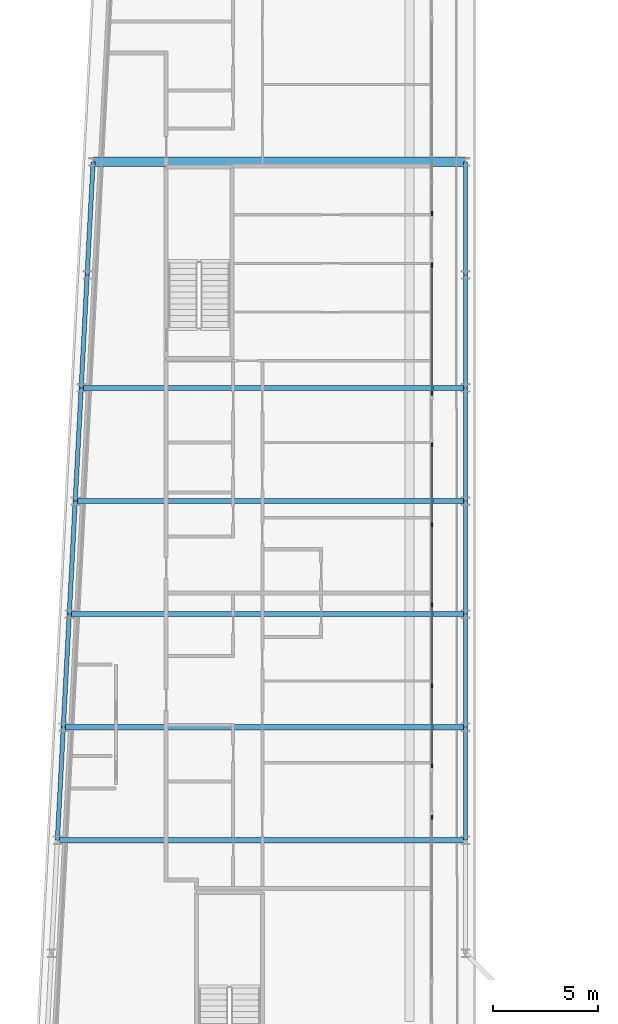
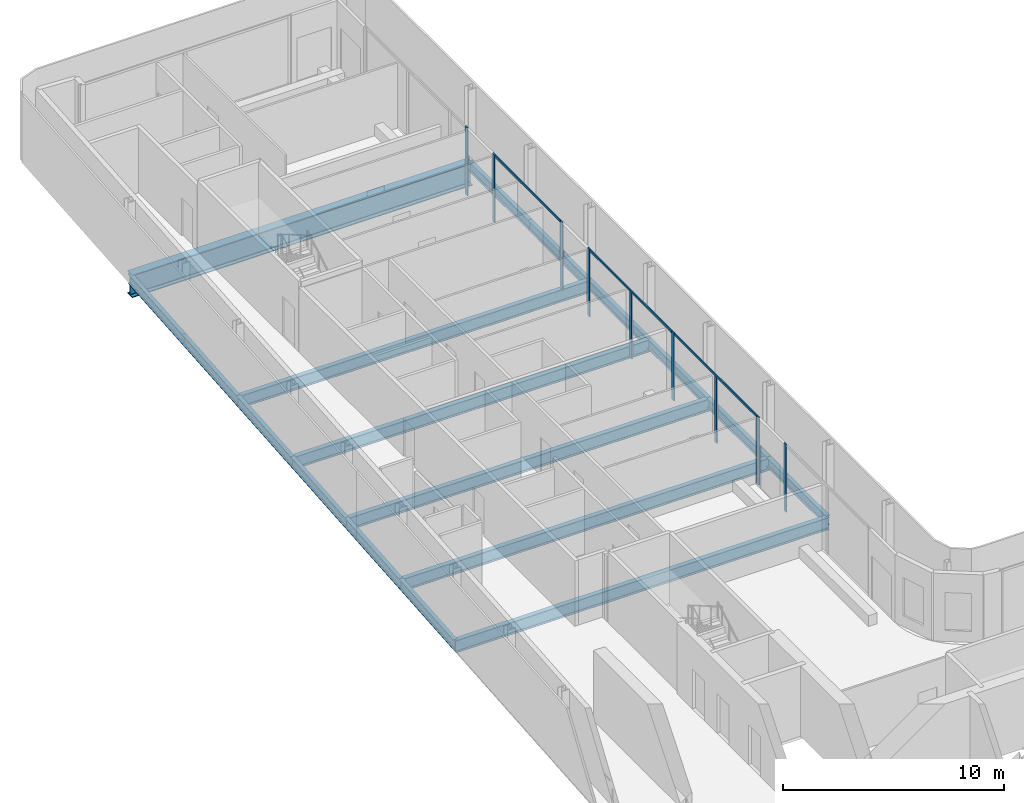
# One storey, part 7 of 21: 18 beams, 12 members, 5 elements without a shape of their own.
"""IFC4 building model written with IfcOpenShell, lengths in metres."""

from ifc_helpers import new_model, si_unit, direction, frame, origin, origin_2d, place, context, subcontext, project, spatial, rectangle, i_section, extrude, material, layer, layer_set, material_profile, profile_set, type_object, element, aggregate, save


model = new_model("IFC4")

# Units and contexts
model_context = context("Model", 3, precision=1e-05, world=origin(), true_north=direction((0.0, 1.0)))
body_context = subcontext(model_context, "Body", "Model", "MODEL_VIEW")
ifc_project = project(units=[si_unit("LENGTHUNIT", "METRE"), si_unit("AREAUNIT", "SQUARE_METRE"), si_unit("VOLUMEUNIT", "CUBIC_METRE"), si_unit("PLANEANGLEUNIT", "RADIAN"), si_unit("MASSUNIT", "GRAM", prefix="KILO")], contexts=[model_context])

# Site, building, storey
site_placement = place(None, origin())
site = spatial("IfcSite", under=ifc_project, at=site_placement, CompositionType="ELEMENT")
building_placement = place(site_placement, origin())
building = spatial("IfcBuilding", under=site, at=building_placement, Name="Kheshtan School and Residences Tower", CompositionType="ELEMENT")
storey_placement = place(building_placement, frame((0.0, 0.0, 282.5)))
storey = spatial("IfcBuildingStorey", under=building, at=storey_placement, Name="L66", CompositionType="ELEMENT", Elevation=282.5)

# Beams
ifc_material_1 = material(Name="Steel ASTM A992 Grade 50", Category="steel")
ifc_material_profile_1 = material_profile(ifc_material_1, i_section(OverallWidth=0.2529296875, OverallDepth=0.677978515625, WebThickness=0.01171875, FlangeThickness=0.016357421875, FilletRadius=0.0146484375, at=origin_2d()), Name="W690x125")
ifc_profile_set_1 = profile_set([ifc_material_profile_1], Name="Steel ASTM A992 Grade 50")
beam_type_1 = type_object("IfcBeamType", Name="Beam FB6 W690x125 ASTM A992 Grade 50", PredefinedType="BEAM", material=ifc_profile_set_1)
beam_1_placement = place(storey_placement, frame((47.60009765625, 78.0, -0.489013671875), z_axis=(-1.0, 0.0, 0.0), x_axis=(0.0, -1.0, 0.0)))
element("IfcBeam", 1, at=beam_1_placement, inside=storey, type_object=beam_type_1, Name="Floor beam C089", PredefinedType="BEAM", context=body_context, shape_type="SweptSolid", body=[
    extrude(i_section(OverallWidth=0.2529296875, OverallDepth=0.677978515625, WebThickness=0.01171875, FlangeThickness=0.016357421875, FilletRadius=0.0146484375, at=origin_2d()), origin(), (0.0, 0.0, 1.0), 18.357177734375),
])
beam_2_placement = place(storey_placement, frame((47.60009765625, 67.199951171875, -0.489013671875), z_axis=(-1.0, 0.0, 0.0), x_axis=(0.0, -1.0, 0.0)))
element("IfcBeam", 2, at=beam_2_placement, inside=storey, type_object=beam_type_1, Name="Floor beam C085", PredefinedType="BEAM", context=body_context, shape_type="SweptSolid", body=[
    extrude(i_section(OverallWidth=0.2529296875, OverallDepth=0.677978515625, WebThickness=0.01171875, FlangeThickness=0.016357421875, FilletRadius=0.0146484375, at=origin_2d()), origin(), (0.0, 0.0, 1.0), 18.926025390625),
])
beam_3_placement = place(storey_placement, frame((47.60009765625, 56.39990234375, -0.489013671875), z_axis=(-1.0, 0.0, 0.0), x_axis=(0.0, -1.0, 0.0)))
element("IfcBeam", 3, at=beam_3_placement, inside=storey, type_object=beam_type_1, Name="Floor beam C081", PredefinedType="BEAM", context=body_context, shape_type="SweptSolid", body=[
    extrude(i_section(OverallWidth=0.2529296875, OverallDepth=0.677978515625, WebThickness=0.01171875, FlangeThickness=0.016357421875, FilletRadius=0.0146484375, at=origin_2d()), origin(), (0.0, 0.0, 1.0), 19.494140625),
])
beam_4_placement = place(storey_placement, frame((28.389892578125, 61.800048828125, -0.489013671875), z_axis=(1.0, 0.0, 0.0), x_axis=(0.0, 1.0, 0.0)))
element("IfcBeam", 4, at=beam_4_placement, inside=storey, type_object=beam_type_1, Name="Floor beam C082", PredefinedType="BEAM", context=body_context, shape_type="SweptSolid", body=[
    extrude(i_section(OverallWidth=0.2529296875, OverallDepth=0.677978515625, WebThickness=0.01171875, FlangeThickness=0.016357421875, FilletRadius=0.0146484375, at=origin_2d()), origin(), (0.0, 0.0, 1.0), 19.210205078125),
])
beam_5_placement = place(storey_placement, frame((28.9580078125, 72.60009765625, -0.489013671875), z_axis=(1.0, 0.0, 0.0), x_axis=(0.0, 1.0, 0.0)))
element("IfcBeam", 5, at=beam_5_placement, inside=storey, type_object=beam_type_1, Name="Floor beam C086", PredefinedType="BEAM", context=body_context, shape_type="SweptSolid", body=[
    extrude(i_section(OverallWidth=0.2529296875, OverallDepth=0.677978515625, WebThickness=0.01171875, FlangeThickness=0.016357421875, FilletRadius=0.0146484375, at=origin_2d()), origin(), (0.0, 0.0, 1.0), 18.64208984375),
])
ifc_material_profile_2 = material_profile(ifc_material_1, i_section(OverallWidth=0.208984375, OverallDepth=0.532958984375, WebThickness=0.01025390625, FlangeThickness=0.015625, FilletRadius=0.013916015625, at=origin_2d()), Name="W530x92")
ifc_profile_set_2 = profile_set([ifc_material_profile_2], Name="Steel ASTM A992 Grade 50")
beam_type_2 = type_object("IfcBeamType", Name="Beam SP3 W530x92 ASTM A992 Grade 50", PredefinedType="BEAM", material=ifc_profile_set_2)
beam_6_placement = place(storey_placement, frame((47.60009765625, 88.800048828125, -0.41650390625), z_axis=(0.0, -1.0, 0.0), x_axis=(1.0, 0.0, 0.0)))
element("IfcBeam", 6, at=beam_6_placement, inside=storey, type_object=beam_type_2, Name="Spandrel beam C099-C091", PredefinedType="BEAM", context=body_context, shape_type="SweptSolid", body=[
    extrude(i_section(OverallWidth=0.208984375, OverallDepth=0.532958984375, WebThickness=0.01025390625, FlangeThickness=0.015625, FilletRadius=0.013916015625, at=origin_2d()), origin(), (0.0, 0.0, 1.0), 5.400146484375),
])
for number, where, z_axis, x_axis, name in (
    (7, (47.60009765625, 83.39990234375, -0.41650390625), (0.0, -1.0, 0.0), (1.0, 0.0, 0.0), "Spandrel beam C091-C089"),
    (8, (47.60009765625, 78.0, -0.41650390625), (0.0, -1.0, 0.0), (1.0, 0.0, 0.0), "Spandrel beam C089-C087"),
):
    element("IfcBeam", number, at=place(storey_placement, frame(where, z_axis=z_axis, x_axis=x_axis)), inside=storey, type_object=beam_type_2, Name=name, PredefinedType="BEAM", context=body_context, shape_type="SweptSolid", body=[
        extrude(i_section(OverallWidth=0.208984375, OverallDepth=0.532958984375, WebThickness=0.01025390625, FlangeThickness=0.015625, FilletRadius=0.013916015625, at=origin_2d()), origin(), (0.0, 0.0, 1.0), 5.39990234375),
    ])
beam_7_placement = place(storey_placement, frame((47.60009765625, 72.60009765625, -0.41650390625), z_axis=(0.0, -1.0, 0.0), x_axis=(1.0, 0.0, 0.0)))
element("IfcBeam", 9, at=beam_7_placement, inside=storey, type_object=beam_type_2, Name="Spandrel beam C087-C085", PredefinedType="BEAM", context=body_context, shape_type="SweptSolid", body=[
    extrude(i_section(OverallWidth=0.208984375, OverallDepth=0.532958984375, WebThickness=0.01025390625, FlangeThickness=0.015625, FilletRadius=0.013916015625, at=origin_2d()), origin(), (0.0, 0.0, 1.0), 5.400146484375),
])
beam_8_placement = place(storey_placement, frame((47.60009765625, 67.199951171875, -0.41650390625), z_axis=(0.0, -1.0, 0.0), x_axis=(1.0, 0.0, 0.0)))
element("IfcBeam", 10, at=beam_8_placement, inside=storey, type_object=beam_type_2, Name="Spandrel beam C085-C083", PredefinedType="BEAM", context=body_context, shape_type="SweptSolid", body=[
    extrude(i_section(OverallWidth=0.208984375, OverallDepth=0.532958984375, WebThickness=0.01025390625, FlangeThickness=0.015625, FilletRadius=0.013916015625, at=origin_2d()), origin(), (0.0, 0.0, 1.0), 5.39990234375),
])
beam_9_placement = place(storey_placement, frame((47.60009765625, 61.800048828125, -0.41650390625), z_axis=(0.0, -1.0, 0.0), x_axis=(1.0, 0.0, 0.0)))
element("IfcBeam", 11, at=beam_9_placement, inside=storey, type_object=beam_type_2, Name="Spandrel beam C083-C081", PredefinedType="BEAM", context=body_context, shape_type="SweptSolid", body=[
    extrude(i_section(OverallWidth=0.208984375, OverallDepth=0.532958984375, WebThickness=0.01025390625, FlangeThickness=0.015625, FilletRadius=0.013916015625, at=origin_2d()), origin(), (0.0, 0.0, 1.0), 5.400146484375),
])
beam_10_placement = place(storey_placement, frame((28.10595703125, 56.39990234375, -0.41650390625), z_axis=(0.05250670125, 0.998620571751, 0.0), x_axis=(-0.998620571751, 0.05250670125, 0.0)))
element("IfcBeam", 12, at=beam_10_placement, inside=storey, type_object=beam_type_2, Name="Spandrel beam C080-C082", PredefinedType="BEAM", context=body_context, shape_type="SweptSolid", body=[
    extrude(i_section(OverallWidth=0.208984375, OverallDepth=0.532958984375, WebThickness=0.01025390625, FlangeThickness=0.015625, FilletRadius=0.013916015625, at=origin_2d()), origin(), (0.0, 0.0, 1.0), 5.40771484375),
])
beam_11_placement = place(storey_placement, frame((28.389892578125, 61.800048828125, -0.41650390625), z_axis=(0.052554093665, 0.998618078766, 0.0), x_axis=(-0.998618078766, 0.052554093665, 0.0)))
element("IfcBeam", 13, at=beam_11_placement, inside=storey, type_object=beam_type_2, Name="Spandrel beam C082-C084", PredefinedType="BEAM", context=body_context, shape_type="SweptSolid", body=[
    extrude(i_section(OverallWidth=0.208984375, OverallDepth=0.532958984375, WebThickness=0.01025390625, FlangeThickness=0.015625, FilletRadius=0.013916015625, at=origin_2d()), origin(), (0.0, 0.0, 1.0), 5.407470703125),
])
beam_12_placement = place(storey_placement, frame((28.674072265625, 67.199951171875, -0.41650390625), z_axis=(0.05250670125, 0.998620571751, 0.0), x_axis=(-0.998620571751, 0.05250670125, 0.0)))
element("IfcBeam", 14, at=beam_12_placement, inside=storey, type_object=beam_type_2, Name="Spandrel beam C084-C086", PredefinedType="BEAM", context=body_context, shape_type="SweptSolid", body=[
    extrude(i_section(OverallWidth=0.208984375, OverallDepth=0.532958984375, WebThickness=0.01025390625, FlangeThickness=0.015625, FilletRadius=0.013916015625, at=origin_2d()), origin(), (0.0, 0.0, 1.0), 5.40771484375),
])
for number, where, z_axis, x_axis, name in (
    (15, (28.9580078125, 72.60009765625, -0.41650390625), (0.052689166816, 0.998610961136, 0.0), (-0.998610961136, 0.052689166816, 0.0), "Spandrel beam C086-C088"),
    (16, (29.242919921875, 78.0, -0.41650390625), (0.052554093665, 0.998618078766, 0.0), (-0.998618078766, 0.052554093665, 0.0), "Spandrel beam C088-C090"),
):
    element("IfcBeam", number, at=place(storey_placement, frame(where, z_axis=z_axis, x_axis=x_axis)), inside=storey, type_object=beam_type_2, Name=name, PredefinedType="BEAM", context=body_context, shape_type="SweptSolid", body=[
        extrude(i_section(OverallWidth=0.208984375, OverallDepth=0.532958984375, WebThickness=0.01025390625, FlangeThickness=0.015625, FilletRadius=0.013916015625, at=origin_2d()), origin(), (0.0, 0.0, 1.0), 5.407470703125),
    ])
beam_13_placement = place(storey_placement, frame((29.527099609375, 83.39990234375, -0.41650390625), z_axis=(0.05250670125, 0.998620571751, 0.0), x_axis=(-0.998620571751, 0.05250670125, 0.0)))
element("IfcBeam", 17, at=beam_13_placement, inside=storey, type_object=beam_type_2, Name="Spandrel beam C090-C098", PredefinedType="BEAM", context=body_context, shape_type="SweptSolid", body=[
    extrude(i_section(OverallWidth=0.208984375, OverallDepth=0.532958984375, WebThickness=0.01025390625, FlangeThickness=0.015625, FilletRadius=0.013916015625, at=origin_2d()), origin(), (0.0, 0.0, 1.0), 5.40771484375),
])

# Curtain wall, member
ifc_material_2 = material(Name="Clear low-e glass in thermally broken aluminium frame", Category="aluminium")
ifc_layer = layer(ifc_material_2, 0.199951171875)
ifc_layer_set = layer_set([ifc_layer], Name="Curtain wall CW-L")
curtain_wall_type = type_object("IfcCurtainWallType", Name="Curtain wall CW-L", PredefinedType="NOTDEFINED", material=ifc_layer_set)
curtain_wall_1_placement = place(storey_placement, origin())
curtain_wall_1 = element("IfcCurtainWall", 18, at=curtain_wall_1_placement, inside=storey, type_object=curtain_wall_type, Name="Curtain wall CWL8a", PredefinedType="NOTDEFINED")
ifc_material_3 = material(Name="Thermally broken aluminium, dark bronze anodised", Category="aluminium")
ifc_material_profile_3 = material_profile(ifc_material_3, rectangle(XDim=0.06005859375, YDim=0.199951171875, at=origin_2d()), Name="CW-L mullion 60x200")
ifc_profile_set_3 = profile_set([ifc_material_profile_3], Name="Thermally broken aluminium, dark bronze anodised")
member_type_1 = type_object("IfcMemberType", Name="CW-L mullion 60x200", PredefinedType="MULLION", material=ifc_profile_set_3)
member_1_placement = place(storey_placement, frame((46.0, 86.3359375, 0.0), z_axis=(0.0, 0.0, 1.0), x_axis=(1.0, 0.0, 0.0)))
member_1 = element("IfcMember", 19, at=member_1_placement, type_object=member_type_1, Name="CWL8a mullion 2", PredefinedType="MULLION", context=body_context, shape_type="SweptSolid", body=[
    extrude(rectangle(XDim=0.06005859375, YDim=0.199951171875, at=origin_2d()), origin(), (0.0, 0.0, 1.0), 3.75),
])
aggregate(curtain_wall_1, [member_1])

# Curtain wall, members
curtain_wall_2_placement = place(storey_placement, origin())
curtain_wall_2 = element("IfcCurtainWall", 20, at=curtain_wall_2_placement, inside=storey, type_object=curtain_wall_type, Name="Curtain wall CWL8d", PredefinedType="NOTDEFINED")
member_2_placement = place(storey_placement, frame((46.0, 83.8759765625, 0.0), z_axis=(0.0, 0.0, 1.0), x_axis=(1.0, 0.0, 0.0)))
member_2 = element("IfcMember", 21, at=member_2_placement, type_object=member_type_1, Name="CWL8d mullion 1", PredefinedType="MULLION", context=body_context, shape_type="SweptSolid", body=[
    extrude(rectangle(XDim=0.06005859375, YDim=0.199951171875, at=origin_2d()), origin(), (0.0, 0.0, 1.0), 3.75),
])
member_3_placement = place(storey_placement, frame((46.0, 77.741943359375, 0.0), z_axis=(0.0, 0.0, 1.0), x_axis=(1.0, 0.0, 0.0)))
member_3 = element("IfcMember", 22, at=member_3_placement, type_object=member_type_1, Name="CWL8d mullion 2", PredefinedType="MULLION", context=body_context, shape_type="SweptSolid", body=[
    extrude(rectangle(XDim=0.06005859375, YDim=0.199951171875, at=origin_2d()), origin(), (0.0, 0.0, 1.0), 3.75),
])

curtain_wall_3_placement = place(storey_placement, origin())
curtain_wall_3 = element("IfcCurtainWall", 23, at=curtain_wall_3_placement, inside=storey, type_object=curtain_wall_type, Name="Curtain wall CWL8", PredefinedType="NOTDEFINED")
member_4_placement = place(storey_placement, frame((46.0, 75.281982421875, 0.0), z_axis=(0.0, 0.0, 1.0), x_axis=(1.0, 0.0, 0.0)))
member_4 = element("IfcMember", 24, at=member_4_placement, type_object=member_type_1, Name="CWL8 mullion 1", PredefinedType="MULLION", context=body_context, shape_type="SweptSolid", body=[
    extrude(rectangle(XDim=0.06005859375, YDim=0.199951171875, at=origin_2d()), origin(), (0.0, 0.0, 1.0), 3.75),
])
member_5_placement = place(storey_placement, frame((46.0, 71.465087890625, 0.0), z_axis=(0.0, 0.0, 1.0), x_axis=(1.0, 0.0, 0.0)))
member_5 = element("IfcMember", 25, at=member_5_placement, type_object=member_type_1, Name="CWL8 mullion 2", PredefinedType="MULLION", context=body_context, shape_type="SweptSolid", body=[
    extrude(rectangle(XDim=0.06005859375, YDim=0.199951171875, at=origin_2d()), origin(), (0.0, 0.0, 1.0), 3.6298828125),
])
member_6_placement = place(storey_placement, frame((46.0, 67.64794921875, 0.0), z_axis=(0.0, 0.0, 1.0), x_axis=(1.0, 0.0, 0.0)))
member_6 = element("IfcMember", 26, at=member_6_placement, type_object=member_type_1, Name="CWL8 mullion 3", PredefinedType="MULLION", context=body_context, shape_type="SweptSolid", body=[
    extrude(rectangle(XDim=0.06005859375, YDim=0.199951171875, at=origin_2d()), origin(), (0.0, 0.0, 1.0), 3.75),
])

curtain_wall_4_placement = place(storey_placement, origin())
curtain_wall_4 = element("IfcCurtainWall", 27, at=curtain_wall_4_placement, inside=storey, type_object=curtain_wall_type, Name="Curtain wall CWL8", PredefinedType="NOTDEFINED")
member_7_placement = place(storey_placement, frame((46.0, 63.77099609375, 0.0), z_axis=(0.0, 0.0, 1.0), x_axis=(1.0, 0.0, 0.0)))
member_7 = element("IfcMember", 28, at=member_7_placement, type_object=member_type_1, Name="CWL8 mullion 2", PredefinedType="MULLION", context=body_context, shape_type="SweptSolid", body=[
    extrude(rectangle(XDim=0.06005859375, YDim=0.199951171875, at=origin_2d()), origin(), (0.0, 0.0, 1.0), 3.6298828125),
])
member_8_placement = place(storey_placement, frame((46.0, 59.9541015625, 0.0), z_axis=(0.0, 0.0, 1.0), x_axis=(1.0, 0.0, 0.0)))
member_8 = element("IfcMember", 29, at=member_8_placement, type_object=member_type_1, Name="CWL8 mullion 3", PredefinedType="MULLION", context=body_context, shape_type="SweptSolid", body=[
    extrude(rectangle(XDim=0.06005859375, YDim=0.199951171875, at=origin_2d()), origin(), (0.0, 0.0, 1.0), 3.75),
])

# Curtain wall, member
curtain_wall_5_placement = place(storey_placement, origin())
curtain_wall_5 = element("IfcCurtainWall", 30, at=curtain_wall_5_placement, inside=storey, type_object=curtain_wall_type, Name="Curtain wall CWL8", PredefinedType="NOTDEFINED")
member_9_placement = place(storey_placement, frame((46.0, 57.493896484375, 0.0), z_axis=(0.0, 0.0, 1.0), x_axis=(1.0, 0.0, 0.0)))
member_9 = element("IfcMember", 31, at=member_9_placement, type_object=member_type_1, Name="CWL8 mullion 1", PredefinedType="MULLION", context=body_context, shape_type="SweptSolid", body=[
    extrude(rectangle(XDim=0.06005859375, YDim=0.199951171875, at=origin_2d()), origin(), (0.0, 0.0, 1.0), 3.75),
])
aggregate(curtain_wall_5, [member_9])

# Member
ifc_material_profile_4 = material_profile(ifc_material_3, rectangle(XDim=0.06005859375, YDim=0.1201171875, at=origin_2d()), Name="CW-L transom 60x120")
ifc_profile_set_4 = profile_set([ifc_material_profile_4], Name="Thermally broken aluminium, dark bronze anodised")
member_type_2 = type_object("IfcMemberType", Name="CW-L transom 60x120", PredefinedType="USERDEFINED", material=ifc_profile_set_4)
member_10_placement = place(storey_placement, frame((46.0, 83.845947265625, 3.68994140625), z_axis=(0.0, -1.0, 0.0), x_axis=(1.0, 0.0, 0.0)))
member_10 = element("IfcMember", 32, at=member_10_placement, type_object=member_type_2, Name="CWL8d transom 1", ObjectType="TRANSOM", PredefinedType="USERDEFINED", context=body_context, shape_type="SweptSolid", body=[
    extrude(rectangle(XDim=0.06005859375, YDim=0.1201171875, at=origin_2d()), origin(), (0.0, 0.0, 1.0), 6.073974609375),
])

aggregate(curtain_wall_2, [member_2, member_3, member_10])

member_11_placement = place(storey_placement, frame((46.0, 75.251953125, 3.68994140625), z_axis=(0.0, -1.0, 0.0), x_axis=(1.0, 0.0, 0.0)))
member_11 = element("IfcMember", 33, at=member_11_placement, type_object=member_type_2, Name="CWL8 transom 1", ObjectType="TRANSOM", PredefinedType="USERDEFINED", context=body_context, shape_type="SweptSolid", body=[
    extrude(rectangle(XDim=0.06005859375, YDim=0.1201171875, at=origin_2d()), origin(), (0.0, 0.0, 1.0), 7.573974609375),
])

aggregate(curtain_wall_3, [member_4, member_5, member_6, member_11])

member_12_placement = place(storey_placement, frame((46.0, 67.617919921875, 3.68994140625), z_axis=(0.0, -1.0, 0.0), x_axis=(1.0, 0.0, 0.0)))
member_12 = element("IfcMember", 34, at=member_12_placement, type_object=member_type_2, Name="CWL8 transom 1", ObjectType="TRANSOM", PredefinedType="USERDEFINED", context=body_context, shape_type="SweptSolid", body=[
    extrude(rectangle(XDim=0.06005859375, YDim=0.1201171875, at=origin_2d()), origin(), (0.0, 0.0, 1.0), 7.634033203125),
])

aggregate(curtain_wall_4, [member_7, member_8, member_12])

# Beam
ifc_material_profile_5 = material_profile(ifc_material_1, i_section(OverallWidth=0.449951171875, OverallDepth=1.25, WebThickness=0.02490234375, FlangeThickness=0.044921875, FilletRadius=0.03759765625, at=origin_2d()), Name="WWF1250x546")
ifc_profile_set_5 = profile_set([ifc_material_profile_5], Name="Steel ASTM A992 Grade 50")
beam_type_3 = type_object("IfcBeamType", Name="Transfer girder TG4 WWF1250x546 ASTM A992 Grade 50", PredefinedType="BEAM", material=ifc_profile_set_5)
beam_14_placement = place(storey_placement, frame((29.81103515625, 88.800048828125, -0.77490234375), z_axis=(1.0, 0.0, 0.0), x_axis=(0.0, 1.0, 0.0)))
element("IfcBeam", 35, at=beam_14_placement, inside=storey, type_object=beam_type_3, Name="Transfer girder C098-C099", PredefinedType="BEAM", context=body_context, shape_type="SweptSolid", body=[
    extrude(i_section(OverallWidth=0.449951171875, OverallDepth=1.25, WebThickness=0.02490234375, FlangeThickness=0.044921875, FilletRadius=0.03759765625, at=origin_2d()), origin(), (0.0, 0.0, 1.0), 17.7890625),
])

save(model, "model.ifc")
